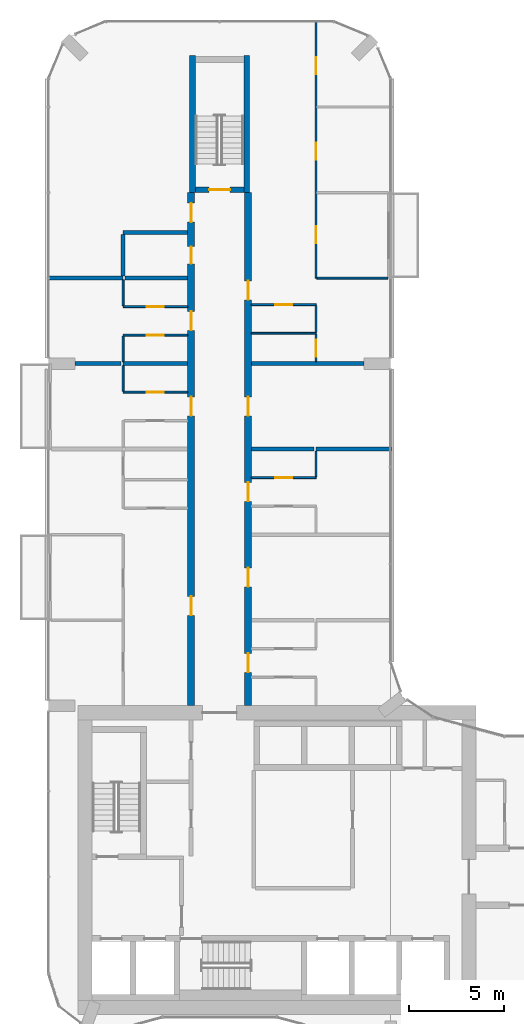
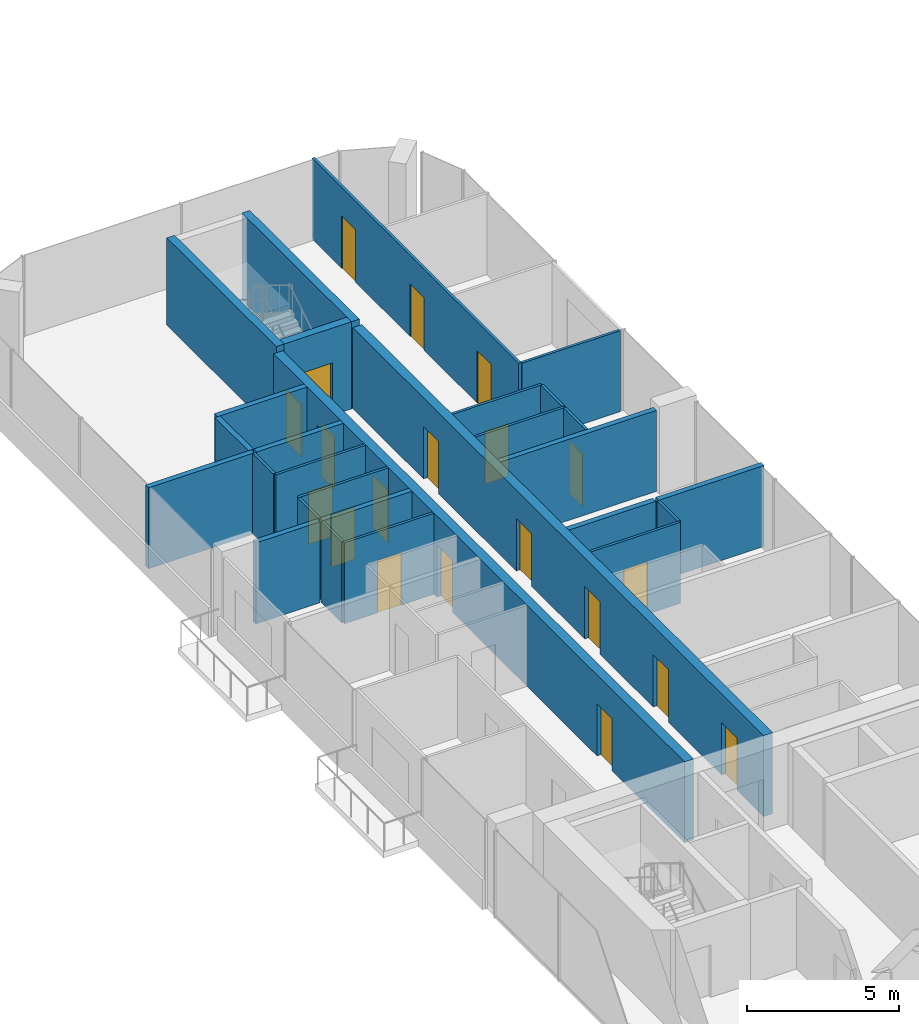
# One storey, part 17 of 24: 28 walls, 20 doors, 20 openings.
"""IFC4 building model written with IfcOpenShell, lengths in metres."""

from ifc_helpers import new_model, si_unit, direction, frame, frame_2d, origin, place, context, subcontext, project, spatial, rectangle, extrude, material, layer, layer_set, type_object, element, fill, save


model = new_model("IFC4")

# Units and contexts
model_context = context("Model", 3, precision=1e-05, world=origin(), true_north=direction((0.0, 1.0)))
body_context = subcontext(model_context, "Body", "Model", "MODEL_VIEW")
ifc_project = project(units=[si_unit("LENGTHUNIT", "METRE"), si_unit("AREAUNIT", "SQUARE_METRE"), si_unit("VOLUMEUNIT", "CUBIC_METRE"), si_unit("PLANEANGLEUNIT", "RADIAN"), si_unit("MASSUNIT", "GRAM", prefix="KILO")], contexts=[model_context])

# Site, building, storey
site_placement = place(None, origin())
site = spatial("IfcSite", under=ifc_project, at=site_placement, CompositionType="ELEMENT")
building_placement = place(site_placement, origin())
building = spatial("IfcBuilding", under=site, at=building_placement, Name="Plateau Cross Towers", CompositionType="ELEMENT")
storey_placement = place(building_placement, frame((0.0, 0.0, 47.800048828125)))
storey = spatial("IfcBuildingStorey", under=building, at=storey_placement, Name="L11", CompositionType="ELEMENT", Elevation=47.800048828125)

# Wall, openings, doors
ifc_material_1 = material(Name="Concrete C60/75", Category="concrete")
ifc_layer_1 = layer(ifc_material_1, 0.35009765625)
ifc_layer_set_1 = layer_set([ifc_layer_1], Name="Concrete C60/75")
wall_type_1 = type_object("IfcWallType", Name="Corridor wall 350", PredefinedType="SHEAR", material=ifc_layer_set_1)
wall_1_placement = place(storey_placement, frame((7.5, 18.0, 0.0), z_axis=(0.0, 0.0, 1.0), x_axis=(0.0, 1.0, 0.0)))
wall_1 = element("IfcWall", 1, at=wall_1_placement, inside=storey, type_object=wall_type_1, Name="A-cw-W1@L11", PredefinedType="SHEAR", context=body_context, shape_type="SweptSolid", body=[
    extrude(rectangle(XDim=27.0, YDim=0.35009765625, at=frame_2d((13.5, 0.0))), origin(), (0.0, 0.0, 1.0), 3.25),
])
opening_1_placement = place(wall_1_placement, frame((4.75, 0.0, 0.0)))
opening_1 = element("IfcOpeningElement", 2, at=opening_1_placement, cuts=wall_1, Name="Opening 11-09", PredefinedType="OPENING", context=body_context, shape_type="SweptSolid", body=[
    extrude(rectangle(XDim=1.0, YDim=2.10009765625, at=frame_2d((0.5, 1.050048828125))), frame((0.0, 0.18505859375, 0.0), z_axis=(0.0, -1.0, 0.0), x_axis=(1.0, 0.0, 0.0)), (0.0, 0.0, 1.0), 0.3701171875),
])
opening_2_placement = place(wall_1_placement, frame((15.25, 0.0, 0.0)))
opening_2 = element("IfcOpeningElement", 3, at=opening_2_placement, cuts=wall_1, Name="Opening 11-10", PredefinedType="OPENING", context=body_context, shape_type="SweptSolid", body=[
    extrude(rectangle(XDim=1.0, YDim=2.10009765625, at=frame_2d((0.5, 1.050048828125))), frame((0.0, 0.18505859375, 0.0), z_axis=(0.0, -1.0, 0.0), x_axis=(1.0, 0.0, 0.0)), (0.0, 0.0, 1.0), 0.3701171875),
])
opening_3_placement = place(wall_1_placement, frame((19.75, 0.0, 0.0)))
opening_3 = element("IfcOpeningElement", 4, at=opening_3_placement, cuts=wall_1, Name="Opening 11-11", PredefinedType="OPENING", context=body_context, shape_type="SweptSolid", body=[
    extrude(rectangle(XDim=1.0, YDim=2.10009765625, at=frame_2d((0.5, 1.050048828125))), frame((0.0, 0.18505859375, 0.0), z_axis=(0.0, -1.0, 0.0), x_axis=(1.0, 0.0, 0.0)), (0.0, 0.0, 1.0), 0.3701171875),
])
opening_4_placement = place(wall_1_placement, frame((23.25, 0.0, 0.0)))
opening_4 = element("IfcOpeningElement", 5, at=opening_4_placement, cuts=wall_1, Name="Opening 11-12", PredefinedType="OPENING", context=body_context, shape_type="SweptSolid", body=[
    extrude(rectangle(XDim=0.89990234375, YDim=2.10009765625, at=frame_2d((0.449951171875, 1.050048828125))), frame((0.0, 0.18505859375, 0.0), z_axis=(0.0, -1.0, 0.0), x_axis=(1.0, 0.0, 0.0)), (0.0, 0.0, 1.0), 0.3701171875),
])
opening_5_placement = place(wall_1_placement, frame((25.449951171875, 0.0, 0.0)))
opening_5 = element("IfcOpeningElement", 6, at=opening_5_placement, cuts=wall_1, Name="Opening 11-13", PredefinedType="OPENING", context=body_context, shape_type="SweptSolid", body=[
    extrude(rectangle(XDim=1.0, YDim=2.10009765625, at=frame_2d((0.5, 1.050048828125))), frame((0.0, 0.18505859375, 0.0), z_axis=(0.0, -1.0, 0.0), x_axis=(1.0, 0.0, 0.0)), (0.0, 0.0, 1.0), 0.3701171875),
])
ifc_material_2 = material(Name="Timber, fire-resisting leaf", Category="wood")
door_type_1 = type_object("IfcDoorType", Name="Flat entrance door 1000", OperationType="NOTDEFINED", PredefinedType="DOOR", material=ifc_material_2)
door_1_placement = place(opening_1_placement, origin())
door_1 = element("IfcDoor", 7, at=door_1_placement, inside=storey, type_object=door_type_1, Name="Door 11-09", OperationType="SINGLE_SWING_LEFT", OverallHeight=2.10009765625, OverallWidth=1.0, PredefinedType="DOOR", context=body_context, shape_type="SweptSolid", body=[
    extrude(rectangle(XDim=1.0, YDim=2.10009765625, at=frame_2d((0.5, 1.050048828125))), frame((0.0, 0.02490234375, 0.0), z_axis=(0.0, -1.0, 0.0), x_axis=(1.0, 0.0, 0.0)), (0.0, 0.0, 1.0), 0.050048828125),
])
fill(opening_1, door_1)
door_2_placement = place(opening_2_placement, origin())
door_2 = element("IfcDoor", 8, at=door_2_placement, inside=storey, type_object=door_type_1, Name="Door 11-10", OperationType="SINGLE_SWING_RIGHT", OverallHeight=2.10009765625, OverallWidth=1.0, PredefinedType="DOOR", context=body_context, shape_type="SweptSolid", body=[
    extrude(rectangle(XDim=1.0, YDim=2.10009765625, at=frame_2d((0.5, 1.050048828125))), frame((0.0, 0.02490234375, 0.0), z_axis=(0.0, -1.0, 0.0), x_axis=(1.0, 0.0, 0.0)), (0.0, 0.0, 1.0), 0.050048828125),
])
fill(opening_2, door_2)
door_3_placement = place(opening_3_placement, origin())
door_3 = element("IfcDoor", 9, at=door_3_placement, inside=storey, type_object=door_type_1, Name="Door 11-11", OperationType="SINGLE_SWING_RIGHT", OverallHeight=2.10009765625, OverallWidth=1.0, PredefinedType="DOOR", context=body_context, shape_type="SweptSolid", body=[
    extrude(rectangle(XDim=1.0, YDim=2.10009765625, at=frame_2d((0.5, 1.050048828125))), frame((0.0, 0.02490234375, 0.0), z_axis=(0.0, -1.0, 0.0), x_axis=(1.0, 0.0, 0.0)), (0.0, 0.0, 1.0), 0.050048828125),
])
fill(opening_3, door_3)
door_4_placement = place(opening_5_placement, origin())
door_4 = element("IfcDoor", 10, at=door_4_placement, inside=storey, type_object=door_type_1, Name="Door 11-13", OperationType="SINGLE_SWING_RIGHT", OverallHeight=2.10009765625, OverallWidth=1.0, PredefinedType="DOOR", context=body_context, shape_type="SweptSolid", body=[
    extrude(rectangle(XDim=1.0, YDim=2.10009765625, at=frame_2d((0.5, 1.050048828125))), frame((0.0, 0.02490234375, 0.0), z_axis=(0.0, -1.0, 0.0), x_axis=(1.0, 0.0, 0.0)), (0.0, 0.0, 1.0), 0.050048828125),
])
fill(opening_5, door_4)
door_type_2 = type_object("IfcDoorType", Name="Flat floor service door 900", OperationType="NOTDEFINED", PredefinedType="DOOR", material=ifc_material_2)
door_5_placement = place(opening_4_placement, origin())
door_5 = element("IfcDoor", 11, at=door_5_placement, inside=storey, type_object=door_type_2, Name="Door 11-12", OperationType="SINGLE_SWING_RIGHT", OverallHeight=2.10009765625, OverallWidth=0.89990234375, PredefinedType="DOOR", context=body_context, shape_type="SweptSolid", body=[
    extrude(rectangle(XDim=0.89990234375, YDim=2.10009765625, at=frame_2d((0.449951171875, 1.050048828125))), frame((0.0, 0.02490234375, 0.0), z_axis=(0.0, -1.0, 0.0), x_axis=(1.0, 0.0, 0.0)), (0.0, 0.0, 1.0), 0.050048828125),
])
fill(opening_4, door_5)

wall_2_placement = place(storey_placement, frame((10.5, 18.0, 0.0), z_axis=(0.0, 0.0, 1.0), x_axis=(0.0, 1.0, 0.0)))
wall_2 = element("IfcWall", 12, at=wall_2_placement, inside=storey, type_object=wall_type_1, Name="A-cw-W2@L11", PredefinedType="SHEAR", context=body_context, shape_type="SweptSolid", body=[
    extrude(rectangle(XDim=27.0, YDim=0.35009765625, at=frame_2d((13.5, 0.0))), origin(), (0.0, 0.0, 1.0), 3.25),
])
opening_6_placement = place(wall_2_placement, frame((1.75, 0.0, 0.0)))
opening_6 = element("IfcOpeningElement", 13, at=opening_6_placement, cuts=wall_2, Name="Opening 11-14", PredefinedType="OPENING", context=body_context, shape_type="SweptSolid", body=[
    extrude(rectangle(XDim=1.0, YDim=2.10009765625, at=frame_2d((0.5, 1.050048828125))), frame((0.0, 0.18505859375, 0.0), z_axis=(0.0, -1.0, 0.0), x_axis=(1.0, 0.0, 0.0)), (0.0, 0.0, 1.0), 0.3701171875),
])
opening_7_placement = place(wall_2_placement, frame((6.25, 0.0, 0.0)))
opening_7 = element("IfcOpeningElement", 14, at=opening_7_placement, cuts=wall_2, Name="Opening 11-15", PredefinedType="OPENING", context=body_context, shape_type="SweptSolid", body=[
    extrude(rectangle(XDim=1.0, YDim=2.10009765625, at=frame_2d((0.5, 1.050048828125))), frame((0.0, 0.18505859375, 0.0), z_axis=(0.0, -1.0, 0.0), x_axis=(1.0, 0.0, 0.0)), (0.0, 0.0, 1.0), 0.3701171875),
])
opening_8_placement = place(wall_2_placement, frame((10.75, 0.0, 0.0)))
opening_8 = element("IfcOpeningElement", 15, at=opening_8_placement, cuts=wall_2, Name="Opening 11-16", PredefinedType="OPENING", context=body_context, shape_type="SweptSolid", body=[
    extrude(rectangle(XDim=1.0, YDim=2.10009765625, at=frame_2d((0.5, 1.050048828125))), frame((0.0, 0.18505859375, 0.0), z_axis=(0.0, -1.0, 0.0), x_axis=(1.0, 0.0, 0.0)), (0.0, 0.0, 1.0), 0.3701171875),
])
opening_9_placement = place(wall_2_placement, frame((15.25, 0.0, 0.0)))
opening_9 = element("IfcOpeningElement", 16, at=opening_9_placement, cuts=wall_2, Name="Opening 11-17", PredefinedType="OPENING", context=body_context, shape_type="SweptSolid", body=[
    extrude(rectangle(XDim=1.0, YDim=2.10009765625, at=frame_2d((0.5, 1.050048828125))), frame((0.0, 0.18505859375, 0.0), z_axis=(0.0, -1.0, 0.0), x_axis=(1.0, 0.0, 0.0)), (0.0, 0.0, 1.0), 0.3701171875),
])
opening_10_placement = place(wall_2_placement, frame((21.35009765625, 0.0, 0.0)))
opening_10 = element("IfcOpeningElement", 17, at=opening_10_placement, cuts=wall_2, Name="Opening 11-18", PredefinedType="OPENING", context=body_context, shape_type="SweptSolid", body=[
    extrude(rectangle(XDim=1.0, YDim=2.10009765625, at=frame_2d((0.5, 1.050048828125))), frame((0.0, 0.18505859375, 0.0), z_axis=(0.0, -1.0, 0.0), x_axis=(1.0, 0.0, 0.0)), (0.0, 0.0, 1.0), 0.3701171875),
])
door_6_placement = place(opening_6_placement, origin())
door_6 = element("IfcDoor", 18, at=door_6_placement, inside=storey, type_object=door_type_1, Name="Door 11-14", OperationType="SINGLE_SWING_LEFT", OverallHeight=2.10009765625, OverallWidth=1.0, PredefinedType="DOOR", context=body_context, shape_type="SweptSolid", body=[
    extrude(rectangle(XDim=1.0, YDim=2.10009765625, at=frame_2d((0.5, 1.050048828125))), frame((0.0, 0.02490234375, 0.0), z_axis=(0.0, -1.0, 0.0), x_axis=(1.0, 0.0, 0.0)), (0.0, 0.0, 1.0), 0.050048828125),
])
fill(opening_6, door_6)
door_7_placement = place(opening_7_placement, origin())
door_7 = element("IfcDoor", 19, at=door_7_placement, inside=storey, type_object=door_type_1, Name="Door 11-15", OperationType="SINGLE_SWING_LEFT", OverallHeight=2.10009765625, OverallWidth=1.0, PredefinedType="DOOR", context=body_context, shape_type="SweptSolid", body=[
    extrude(rectangle(XDim=1.0, YDim=2.10009765625, at=frame_2d((0.5, 1.050048828125))), frame((0.0, 0.02490234375, 0.0), z_axis=(0.0, -1.0, 0.0), x_axis=(1.0, 0.0, 0.0)), (0.0, 0.0, 1.0), 0.050048828125),
])
fill(opening_7, door_7)
door_8_placement = place(opening_8_placement, origin())
door_8 = element("IfcDoor", 20, at=door_8_placement, inside=storey, type_object=door_type_1, Name="Door 11-16", OperationType="SINGLE_SWING_LEFT", OverallHeight=2.10009765625, OverallWidth=1.0, PredefinedType="DOOR", context=body_context, shape_type="SweptSolid", body=[
    extrude(rectangle(XDim=1.0, YDim=2.10009765625, at=frame_2d((0.5, 1.050048828125))), frame((0.0, 0.02490234375, 0.0), z_axis=(0.0, -1.0, 0.0), x_axis=(1.0, 0.0, 0.0)), (0.0, 0.0, 1.0), 0.050048828125),
])
fill(opening_8, door_8)
door_9_placement = place(opening_9_placement, origin())
door_9 = element("IfcDoor", 21, at=door_9_placement, inside=storey, type_object=door_type_1, Name="Door 11-17", OperationType="SINGLE_SWING_RIGHT", OverallHeight=2.10009765625, OverallWidth=1.0, PredefinedType="DOOR", context=body_context, shape_type="SweptSolid", body=[
    extrude(rectangle(XDim=1.0, YDim=2.10009765625, at=frame_2d((0.5, 1.050048828125))), frame((0.0, 0.02490234375, 0.0), z_axis=(0.0, -1.0, 0.0), x_axis=(1.0, 0.0, 0.0)), (0.0, 0.0, 1.0), 0.050048828125),
])
fill(opening_9, door_9)
door_10_placement = place(opening_10_placement, origin())
door_10 = element("IfcDoor", 22, at=door_10_placement, inside=storey, type_object=door_type_1, Name="Door 11-18", OperationType="SINGLE_SWING_RIGHT", OverallHeight=2.10009765625, OverallWidth=1.0, PredefinedType="DOOR", context=body_context, shape_type="SweptSolid", body=[
    extrude(rectangle(XDim=1.0, YDim=2.10009765625, at=frame_2d((0.5, 1.050048828125))), frame((0.0, 0.02490234375, 0.0), z_axis=(0.0, -1.0, 0.0), x_axis=(1.0, 0.0, 0.0)), (0.0, 0.0, 1.0), 0.050048828125),
])
fill(opening_10, door_10)

# Wall, opening, door
ifc_material_3 = material(Name="Gypsum board on steel studs", Category="steel")
ifc_layer_2 = layer(ifc_material_3, 0.10009765625)
ifc_layer_set_2 = layer_set([ifc_layer_2], Name="Gypsum board on steel studs")
wall_type_2 = type_object("IfcWallType", Name="Flat partition 100", PredefinedType="PARTITIONING", material=ifc_layer_set_2)
wall_3_placement = place(storey_placement, frame((10.675048828125, 30.0, 0.0), z_axis=(0.0, 0.0, 1.0), x_axis=(1.0, 0.0, 0.0)))
wall_3 = element("IfcWall", 23, at=wall_3_placement, inside=storey, type_object=wall_type_2, Name="Partition wall", PredefinedType="PARTITIONING", context=body_context, shape_type="SweptSolid", body=[
    extrude(rectangle(XDim=3.39990234375, YDim=0.10009765625, at=frame_2d((1.699951171875, 0.0))), origin(), (0.0, 0.0, 1.0), 3.25),
])
opening_11_placement = place(wall_3_placement, frame((1.25, 0.0, 0.0)))
opening_11 = element("IfcOpeningElement", 24, at=opening_11_placement, cuts=wall_3, Name="Opening 11-43", PredefinedType="OPENING", context=body_context, shape_type="SweptSolid", body=[
    extrude(rectangle(XDim=0.89990234375, YDim=2.10009765625, at=frame_2d((0.449951171875, 1.050048828125))), frame((0.0, 0.06005859375, 0.0), z_axis=(0.0, -1.0, 0.0), x_axis=(1.0, 0.0, 0.0)), (0.0, 0.0, 1.0), 0.1201171875),
])
ifc_material_4 = material(Name="Timber leaf", Category="wood")
door_type_3 = type_object("IfcDoorType", Name="Flat room door 900", OperationType="NOTDEFINED", PredefinedType="DOOR", material=ifc_material_4)
door_11_placement = place(opening_11_placement, origin())
door_11 = element("IfcDoor", 25, at=door_11_placement, inside=storey, type_object=door_type_3, Name="Door 11-43", OperationType="SINGLE_SWING_RIGHT", OverallHeight=2.10009765625, OverallWidth=0.89990234375, PredefinedType="DOOR", context=body_context, shape_type="SweptSolid", body=[
    extrude(rectangle(XDim=0.89990234375, YDim=2.10009765625, at=frame_2d((0.449951171875, 1.050048828125))), frame((0.0, 0.02490234375, 0.0), z_axis=(0.0, -1.0, 0.0), x_axis=(1.0, 0.0, 0.0)), (0.0, 0.0, 1.0), 0.050048828125),
])
fill(opening_11, door_11)

wall_4_placement = place(storey_placement, frame((3.925048828125, 34.5, 0.0), z_axis=(0.0, 0.0, 1.0), x_axis=(1.0, 0.0, 0.0)))
wall_4 = element("IfcWall", 26, at=wall_4_placement, inside=storey, type_object=wall_type_2, Name="Partition wall", PredefinedType="PARTITIONING", context=body_context, shape_type="SweptSolid", body=[
    extrude(rectangle(XDim=3.39990234375, YDim=0.10009765625, at=frame_2d((1.699951171875, 0.0))), origin(), (0.0, 0.0, 1.0), 3.25),
])
opening_12_placement = place(wall_4_placement, frame((1.25, 0.0, 0.0)))
opening_12 = element("IfcOpeningElement", 27, at=opening_12_placement, cuts=wall_4, Name="Opening 11-37", PredefinedType="OPENING", context=body_context, shape_type="SweptSolid", body=[
    extrude(rectangle(XDim=0.89990234375, YDim=2.10009765625, at=frame_2d((0.449951171875, 1.050048828125))), frame((0.0, 0.06005859375, 0.0), z_axis=(0.0, -1.0, 0.0), x_axis=(1.0, 0.0, 0.0)), (0.0, 0.0, 1.0), 0.1201171875),
])
door_12_placement = place(opening_12_placement, origin())
door_12 = element("IfcDoor", 28, at=door_12_placement, inside=storey, type_object=door_type_3, Name="Door 11-37", OperationType="SINGLE_SWING_LEFT", OverallHeight=2.10009765625, OverallWidth=0.89990234375, PredefinedType="DOOR", context=body_context, shape_type="SweptSolid", body=[
    extrude(rectangle(XDim=0.89990234375, YDim=2.10009765625, at=frame_2d((0.449951171875, 1.050048828125))), frame((0.0, 0.02490234375, 0.0), z_axis=(0.0, -1.0, 0.0), x_axis=(1.0, 0.0, 0.0)), (0.0, 0.0, 1.0), 0.050048828125),
])
fill(opening_12, door_12)

wall_5_placement = place(storey_placement, frame((7.324951171875, 37.5, 0.0), z_axis=(0.0, 0.0, 1.0), x_axis=(-1.0, 0.0, 0.0)))
wall_5 = element("IfcWall", 29, at=wall_5_placement, inside=storey, type_object=wall_type_2, Name="Partition wall", PredefinedType="PARTITIONING", context=body_context, shape_type="SweptSolid", body=[
    extrude(rectangle(XDim=3.39990234375, YDim=0.10009765625, at=frame_2d((1.699951171875, 0.0))), origin(), (0.0, 0.0, 1.0), 3.25),
])
opening_13_placement = place(wall_5_placement, frame((1.25, 0.0, 0.0)))
opening_13 = element("IfcOpeningElement", 30, at=opening_13_placement, cuts=wall_5, Name="Opening 11-38", PredefinedType="OPENING", context=body_context, shape_type="SweptSolid", body=[
    extrude(rectangle(XDim=0.89990234375, YDim=2.10009765625, at=frame_2d((0.449951171875, 1.050048828125))), frame((0.0, 0.06005859375, 0.0), z_axis=(0.0, -1.0, 0.0), x_axis=(1.0, 0.0, 0.0)), (0.0, 0.0, 1.0), 0.1201171875),
])
door_13_placement = place(opening_13_placement, origin())
door_13 = element("IfcDoor", 31, at=door_13_placement, inside=storey, type_object=door_type_3, Name="Door 11-38", OperationType="SINGLE_SWING_LEFT", OverallHeight=2.10009765625, OverallWidth=0.89990234375, PredefinedType="DOOR", context=body_context, shape_type="SweptSolid", body=[
    extrude(rectangle(XDim=0.89990234375, YDim=2.10009765625, at=frame_2d((0.449951171875, 1.050048828125))), frame((0.0, 0.02490234375, 0.0), z_axis=(0.0, -1.0, 0.0), x_axis=(1.0, 0.0, 0.0)), (0.0, 0.0, 1.0), 0.050048828125),
])
fill(opening_13, door_13)

# Wall
wall_6_placement = place(storey_placement, frame((14.074951171875, 37.60009765625, 0.0), z_axis=(0.0, 0.0, 1.0), x_axis=(-1.0, 0.0, 0.0)))
element("IfcWall", 32, at=wall_6_placement, inside=storey, type_object=wall_type_2, Name="Partition wall", PredefinedType="PARTITIONING", context=body_context, shape_type="SweptSolid", body=[
    extrude(rectangle(XDim=3.39990234375, YDim=0.10009765625, at=frame_2d((1.699951171875, 0.0))), origin(), (0.0, 0.0, 1.0), 3.25),
])

# Wall, opening, door
wall_7_placement = place(storey_placement, frame((3.925048828125, 39.0, 0.0), z_axis=(0.0, 0.0, 1.0), x_axis=(1.0, 0.0, 0.0)))
wall_7 = element("IfcWall", 33, at=wall_7_placement, inside=storey, type_object=wall_type_2, Name="Partition wall", PredefinedType="PARTITIONING", context=body_context, shape_type="SweptSolid", body=[
    extrude(rectangle(XDim=3.39990234375, YDim=0.10009765625, at=frame_2d((1.699951171875, 0.0))), origin(), (0.0, 0.0, 1.0), 3.25),
])
opening_14_placement = place(wall_7_placement, frame((1.25, 0.0, 0.0)))
opening_14 = element("IfcOpeningElement", 34, at=opening_14_placement, cuts=wall_7, Name="Opening 11-39", PredefinedType="OPENING", context=body_context, shape_type="SweptSolid", body=[
    extrude(rectangle(XDim=0.89990234375, YDim=2.10009765625, at=frame_2d((0.449951171875, 1.050048828125))), frame((0.0, 0.06005859375, 0.0), z_axis=(0.0, -1.0, 0.0), x_axis=(1.0, 0.0, 0.0)), (0.0, 0.0, 1.0), 0.1201171875),
])
door_14_placement = place(opening_14_placement, origin())
door_14 = element("IfcDoor", 35, at=door_14_placement, inside=storey, type_object=door_type_3, Name="Door 11-39", OperationType="SINGLE_SWING_LEFT", OverallHeight=2.10009765625, OverallWidth=0.89990234375, PredefinedType="DOOR", context=body_context, shape_type="SweptSolid", body=[
    extrude(rectangle(XDim=0.89990234375, YDim=2.10009765625, at=frame_2d((0.449951171875, 1.050048828125))), frame((0.0, 0.02490234375, 0.0), z_axis=(0.0, -1.0, 0.0), x_axis=(1.0, 0.0, 0.0)), (0.0, 0.0, 1.0), 0.050048828125),
])
fill(opening_14, door_14)

wall_8_placement = place(storey_placement, frame((14.074951171875, 39.10009765625, 0.0), z_axis=(0.0, 0.0, 1.0), x_axis=(-1.0, 0.0, 0.0)))
wall_8 = element("IfcWall", 36, at=wall_8_placement, inside=storey, type_object=wall_type_2, Name="Partition wall", PredefinedType="PARTITIONING", context=body_context, shape_type="SweptSolid", body=[
    extrude(rectangle(XDim=3.39990234375, YDim=0.10009765625, at=frame_2d((1.699951171875, 0.0))), origin(), (0.0, 0.0, 1.0), 3.25),
])
opening_15_placement = place(wall_8_placement, frame((1.25, 0.0, 0.0)))
opening_15 = element("IfcOpeningElement", 37, at=opening_15_placement, cuts=wall_8, Name="Opening 11-45", PredefinedType="OPENING", context=body_context, shape_type="SweptSolid", body=[
    extrude(rectangle(XDim=0.89990234375, YDim=2.10009765625, at=frame_2d((0.449951171875, 1.050048828125))), frame((0.0, 0.06005859375, 0.0), z_axis=(0.0, -1.0, 0.0), x_axis=(1.0, 0.0, 0.0)), (0.0, 0.0, 1.0), 0.1201171875),
])
door_15_placement = place(opening_15_placement, origin())
door_15 = element("IfcDoor", 38, at=door_15_placement, inside=storey, type_object=door_type_3, Name="Door 11-45", OperationType="SINGLE_SWING_RIGHT", OverallHeight=2.10009765625, OverallWidth=0.89990234375, PredefinedType="DOOR", context=body_context, shape_type="SweptSolid", body=[
    extrude(rectangle(XDim=0.89990234375, YDim=2.10009765625, at=frame_2d((0.449951171875, 1.050048828125))), frame((0.0, 0.02490234375, 0.0), z_axis=(0.0, -1.0, 0.0), x_axis=(1.0, 0.0, 0.0)), (0.0, 0.0, 1.0), 0.050048828125),
])
fill(opening_15, door_15)

# Walls
wall_9_placement = place(storey_placement, frame((14.125, 40.5, 0.0), z_axis=(0.0, 0.0, 1.0), x_axis=(1.0, 0.0, 0.0)))
element("IfcWall", 39, at=wall_9_placement, inside=storey, type_object=wall_type_2, Name="Partition wall", PredefinedType="PARTITIONING", context=body_context, shape_type="SweptSolid", body=[
    extrude(rectangle(XDim=3.72509765625, YDim=0.10009765625, at=frame_2d((1.862548828125, 0.0))), origin(), (0.0, 0.0, 1.0), 3.25),
])
for number, where, z_axis, x_axis, name in (
    (40, (3.925048828125, 35.89990234375, 0.0), (0.0, 0.0, 1.0), (0.0, -1.0, 0.0), "Partition wall"),
    (41, (3.925048828125, 37.449951171875, 0.0), (0.0, 0.0, 1.0), (0.0, -1.0, 0.0), "Partition wall"),
    (42, (3.925048828125, 40.39990234375, 0.0), (0.0, 0.0, 1.0), (0.0, -1.0, 0.0), "Partition wall"),
):
    element("IfcWall", number, at=place(storey_placement, frame(where, z_axis=z_axis, x_axis=x_axis)), inside=storey, type_object=wall_type_2, Name=name, PredefinedType="PARTITIONING", context=body_context, shape_type="SweptSolid", body=[
        extrude(rectangle(XDim=1.349853515625, YDim=0.10009765625, at=frame_2d((0.6748046875, 0.0))), origin(), (0.0, 0.0, 1.0), 3.25),
    ])

# Wall, openings, doors
wall_10_placement = place(storey_placement, frame((14.074951171875, 54.080078125, 0.0), z_axis=(0.0, 0.0, 1.0), x_axis=(0.0, -1.0, 0.0)))
wall_10 = element("IfcWall", 43, at=wall_10_placement, inside=storey, type_object=wall_type_2, Name="Partition wall", PredefinedType="PARTITIONING", context=body_context, shape_type="SweptSolid", body=[
    extrude(rectangle(XDim=13.580078125, YDim=0.10009765625, at=frame_2d((6.7900390625, 0.0))), origin(), (0.0, 0.0, 1.0), 3.25),
])
opening_16_placement = place(wall_10_placement, frame((10.85009765625, 0.0, 0.0)))
opening_16 = element("IfcOpeningElement", 44, at=opening_16_placement, cuts=wall_10, Name="Opening 11-46", PredefinedType="OPENING", context=body_context, shape_type="SweptSolid", body=[
    extrude(rectangle(XDim=0.89990234375, YDim=2.10009765625, at=frame_2d((0.449951171875, 1.050048828125))), frame((0.0, 0.06005859375, 0.0), z_axis=(0.0, -1.0, 0.0), x_axis=(1.0, 0.0, 0.0)), (0.0, 0.0, 1.0), 0.1201171875),
])
opening_17_placement = place(wall_10_placement, frame((6.449951171875, 0.0, 0.0)))
opening_17 = element("IfcOpeningElement", 45, at=opening_17_placement, cuts=wall_10, Name="Opening 11-47", PredefinedType="OPENING", context=body_context, shape_type="SweptSolid", body=[
    extrude(rectangle(XDim=0.89990234375, YDim=2.10009765625, at=frame_2d((0.449951171875, 1.050048828125))), frame((0.0, 0.06005859375, 0.0), z_axis=(0.0, -1.0, 0.0), x_axis=(1.0, 0.0, 0.0)), (0.0, 0.0, 1.0), 0.1201171875),
])
opening_18_placement = place(wall_10_placement, frame((1.949951171875, 0.0, 0.0)))
opening_18 = element("IfcOpeningElement", 46, at=opening_18_placement, cuts=wall_10, Name="Opening 11-48", PredefinedType="OPENING", context=body_context, shape_type="SweptSolid", body=[
    extrude(rectangle(XDim=0.89990234375, YDim=2.10009765625, at=frame_2d((0.449951171875, 1.050048828125))), frame((0.0, 0.06005859375, 0.0), z_axis=(0.0, -1.0, 0.0), x_axis=(1.0, 0.0, 0.0)), (0.0, 0.0, 1.0), 0.1201171875),
])
door_16_placement = place(opening_16_placement, origin())
door_16 = element("IfcDoor", 47, at=door_16_placement, inside=storey, type_object=door_type_3, Name="Door 11-46", OperationType="SINGLE_SWING_RIGHT", OverallHeight=2.10009765625, OverallWidth=0.89990234375, PredefinedType="DOOR", context=body_context, shape_type="SweptSolid", body=[
    extrude(rectangle(XDim=0.89990234375, YDim=2.10009765625, at=frame_2d((0.449951171875, 1.050048828125))), frame((0.0, 0.02490234375, 0.0), z_axis=(0.0, -1.0, 0.0), x_axis=(1.0, 0.0, 0.0)), (0.0, 0.0, 1.0), 0.050048828125),
])
fill(opening_16, door_16)
door_17_placement = place(opening_17_placement, origin())
door_17 = element("IfcDoor", 48, at=door_17_placement, inside=storey, type_object=door_type_3, Name="Door 11-47", OperationType="SINGLE_SWING_RIGHT", OverallHeight=2.10009765625, OverallWidth=0.89990234375, PredefinedType="DOOR", context=body_context, shape_type="SweptSolid", body=[
    extrude(rectangle(XDim=0.89990234375, YDim=2.10009765625, at=frame_2d((0.449951171875, 1.050048828125))), frame((0.0, 0.02490234375, 0.0), z_axis=(0.0, -1.0, 0.0), x_axis=(1.0, 0.0, 0.0)), (0.0, 0.0, 1.0), 0.050048828125),
])
fill(opening_17, door_17)
door_18_placement = place(opening_18_placement, origin())
door_18 = element("IfcDoor", 49, at=door_18_placement, inside=storey, type_object=door_type_3, Name="Door 11-48", OperationType="SINGLE_SWING_LEFT", OverallHeight=2.10009765625, OverallWidth=0.89990234375, PredefinedType="DOOR", context=body_context, shape_type="SweptSolid", body=[
    extrude(rectangle(XDim=0.89990234375, YDim=2.10009765625, at=frame_2d((0.449951171875, 1.050048828125))), frame((0.0, 0.02490234375, 0.0), z_axis=(0.0, -1.0, 0.0), x_axis=(1.0, 0.0, 0.0)), (0.0, 0.0, 1.0), 0.050048828125),
])
fill(opening_18, door_18)

# Wall
wall_11_placement = place(storey_placement, frame((14.074951171875, 30.050048828125, 0.0), z_axis=(0.0, 0.0, 1.0), x_axis=(0.0, 1.0, 0.0)))
element("IfcWall", 50, at=wall_11_placement, inside=storey, type_object=wall_type_2, Name="Partition wall", PredefinedType="PARTITIONING", context=body_context, shape_type="SweptSolid", body=[
    extrude(rectangle(XDim=1.349853515625, YDim=0.10009765625, at=frame_2d((0.6748046875, 0.0))), origin(), (0.0, 0.0, 1.0), 3.25),
])

# Wall, opening, door
wall_12_placement = place(storey_placement, frame((14.074951171875, 36.10009765625, 0.0), z_axis=(0.0, 0.0, 1.0), x_axis=(0.0, 1.0, 0.0)))
wall_12 = element("IfcWall", 51, at=wall_12_placement, inside=storey, type_object=wall_type_2, Name="Partition wall", PredefinedType="PARTITIONING", context=body_context, shape_type="SweptSolid", body=[
    extrude(rectangle(XDim=1.449951171875, YDim=0.10009765625, at=frame_2d((0.72509765625, 0.0))), origin(), (0.0, 0.0, 1.0), 3.25),
])
opening_19_placement = place(wall_12_placement, frame((0.25, 0.0, 0.0)))
opening_19 = element("IfcOpeningElement", 52, at=opening_19_placement, cuts=wall_12, Name="Opening 11-44", PredefinedType="OPENING", context=body_context, shape_type="SweptSolid", body=[
    extrude(rectangle(XDim=0.89990234375, YDim=2.10009765625, at=frame_2d((0.449951171875, 1.050048828125))), frame((0.0, 0.06005859375, 0.0), z_axis=(0.0, -1.0, 0.0), x_axis=(1.0, 0.0, 0.0)), (0.0, 0.0, 1.0), 0.1201171875),
])
door_19_placement = place(opening_19_placement, origin())
door_19 = element("IfcDoor", 53, at=door_19_placement, inside=storey, type_object=door_type_3, Name="Door 11-44", OperationType="SINGLE_SWING_LEFT", OverallHeight=2.10009765625, OverallWidth=0.89990234375, PredefinedType="DOOR", context=body_context, shape_type="SweptSolid", body=[
    extrude(rectangle(XDim=0.89990234375, YDim=2.10009765625, at=frame_2d((0.449951171875, 1.050048828125))), frame((0.0, 0.02490234375, 0.0), z_axis=(0.0, -1.0, 0.0), x_axis=(1.0, 0.0, 0.0)), (0.0, 0.0, 1.0), 0.050048828125),
])
fill(opening_19, door_19)

# Walls
wall_13_placement = place(storey_placement, frame((14.074951171875, 37.64990234375, 0.0), z_axis=(0.0, 0.0, 1.0), x_axis=(0.0, 1.0, 0.0)))
element("IfcWall", 54, at=wall_13_placement, inside=storey, type_object=wall_type_2, Name="Partition wall", PredefinedType="PARTITIONING", context=body_context, shape_type="SweptSolid", body=[
    extrude(rectangle(XDim=1.400146484375, YDim=0.10009765625, at=frame_2d((0.7001953125, 0.0))), origin(), (0.0, 0.0, 1.0), 3.25),
])
ifc_material_5 = material(Name="Gypsum board on steel studs, two layers each side", Category="steel")
ifc_layer_3 = layer(ifc_material_5, 0.199951171875)
ifc_layer_set_3 = layer_set([ifc_layer_3], Name="Gypsum board on steel studs, two layers each side")
wall_type_3 = type_object("IfcWallType", Name="Flat party wall 200", PredefinedType="PARTITIONING", material=ifc_layer_set_3)
wall_14_placement = place(storey_placement, frame((13.97509765625, 31.5, 0.0), z_axis=(0.0, 0.0, 1.0), x_axis=(-1.0, 0.0, 0.0)))
element("IfcWall", 55, at=wall_14_placement, inside=storey, type_object=wall_type_3, Name="Party wall", PredefinedType="PARTITIONING", context=body_context, shape_type="SweptSolid", body=[
    extrude(rectangle(XDim=3.300048828125, YDim=0.199951171875, at=frame_2d((1.64990234375, 0.0))), origin(), (0.0, 0.0, 1.0), 3.25),
])
wall_15_placement = place(storey_placement, frame((14.074951171875, 31.5, 0.0), z_axis=(0.0, 0.0, 1.0), x_axis=(1.0, 0.0, 0.0)))
element("IfcWall", 56, at=wall_15_placement, inside=storey, type_object=wall_type_3, Name="Party wall", PredefinedType="PARTITIONING", context=body_context, shape_type="SweptSolid", body=[
    extrude(rectangle(XDim=4.005126953125, YDim=0.199951171875, at=frame_2d((2.00244140625, 0.0))), origin(), (0.0, 0.0, 1.0), 3.25),
])
wall_16_placement = place(storey_placement, frame((7.324951171875, 36.0, 0.0), z_axis=(0.0, 0.0, 1.0), x_axis=(-1.0, 0.0, 0.0)))
element("IfcWall", 57, at=wall_16_placement, inside=storey, type_object=wall_type_3, Name="Party wall", PredefinedType="PARTITIONING", context=body_context, shape_type="SweptSolid", body=[
    extrude(rectangle(XDim=3.39990234375, YDim=0.199951171875, at=frame_2d((1.699951171875, 0.0))), origin(), (0.0, 0.0, 1.0), 3.25),
])
wall_17_placement = place(storey_placement, frame((16.60009765625, 36.0, 0.0), z_axis=(0.0, 0.0, 1.0), x_axis=(-1.0, 0.0, 0.0)))
element("IfcWall", 58, at=wall_17_placement, inside=storey, type_object=wall_type_3, Name="Party wall", PredefinedType="PARTITIONING", context=body_context, shape_type="SweptSolid", body=[
    extrude(rectangle(XDim=5.925048828125, YDim=0.199951171875, at=frame_2d((2.96240234375, 0.0))), origin(), (0.0, 0.0, 1.0), 3.25),
])
wall_18_placement = place(storey_placement, frame((1.39990234375, 36.0, 0.0), z_axis=(0.0, 0.0, 1.0), x_axis=(1.0, 0.0, 0.0)))
element("IfcWall", 59, at=wall_18_placement, inside=storey, type_object=wall_type_3, Name="Party wall", PredefinedType="PARTITIONING", context=body_context, shape_type="SweptSolid", body=[
    extrude(rectangle(XDim=2.425048828125, YDim=0.199951171875, at=frame_2d((1.21240234375, 0.0))), origin(), (0.0, 0.0, 1.0), 3.25),
])
wall_19_placement = place(storey_placement, frame((7.324951171875, 40.5, 0.0), z_axis=(0.0, 0.0, 1.0), x_axis=(-1.0, 0.0, 0.0)))
element("IfcWall", 60, at=wall_19_placement, inside=storey, type_object=wall_type_3, Name="Party wall", PredefinedType="PARTITIONING", context=body_context, shape_type="SweptSolid", body=[
    extrude(rectangle(XDim=3.300048828125, YDim=0.199951171875, at=frame_2d((1.64990234375, 0.0))), origin(), (0.0, 0.0, 1.0), 3.25),
])
wall_20_placement = place(storey_placement, frame((-0.080078125, 40.5, 0.0), z_axis=(0.0, 0.0, 1.0), x_axis=(1.0, 0.0, 0.0)))
element("IfcWall", 61, at=wall_20_placement, inside=storey, type_object=wall_type_3, Name="Party wall", PredefinedType="PARTITIONING", context=body_context, shape_type="SweptSolid", body=[
    extrude(rectangle(XDim=4.005126953125, YDim=0.199951171875, at=frame_2d((2.00244140625, 0.0))), origin(), (0.0, 0.0, 1.0), 3.25),
])
wall_21_placement = place(storey_placement, frame((7.324951171875, 42.89990234375, 0.0), z_axis=(0.0, 0.0, 1.0), x_axis=(-1.0, 0.0, 0.0)))
element("IfcWall", 62, at=wall_21_placement, inside=storey, type_object=wall_type_3, Name="Party wall", PredefinedType="PARTITIONING", context=body_context, shape_type="SweptSolid", body=[
    extrude(rectangle(XDim=3.39990234375, YDim=0.199951171875, at=frame_2d((1.699951171875, 0.0))), origin(), (0.0, 0.0, 1.0), 3.25),
])
wall_22_placement = place(storey_placement, frame((3.925048828125, 42.800048828125, 0.0), z_axis=(0.0, 0.0, 1.0), x_axis=(0.0, -1.0, 0.0)))
element("IfcWall", 63, at=wall_22_placement, inside=storey, type_object=wall_type_3, Name="Party wall", PredefinedType="PARTITIONING", context=body_context, shape_type="SweptSolid", body=[
    extrude(rectangle(XDim=2.199951171875, YDim=0.199951171875, at=frame_2d((1.10009765625, 0.0))), origin(), (0.0, 0.0, 1.0), 3.25),
])

# Wall, opening, door
ifc_layer_4 = layer(ifc_material_1, 0.300048828125)
ifc_layer_set_4 = layer_set([ifc_layer_4], Name="Concrete C60/75")
wall_type_4 = type_object("IfcWallType", Name="Stair tower wall 300", PredefinedType="SHEAR", material=ifc_layer_set_4)
wall_23_placement = place(storey_placement, frame((7.72509765625, 45.14990234375, 0.0), z_axis=(0.0, 0.0, 1.0), x_axis=(1.0, 0.0, 0.0)))
wall_23 = element("IfcWall", 64, at=wall_23_placement, inside=storey, type_object=wall_type_4, Name="A-end-N-S@L11", PredefinedType="SHEAR", context=body_context, shape_type="SweptSolid", body=[
    extrude(rectangle(XDim=2.5498046875, YDim=0.300048828125, at=frame_2d((1.27490234375, 0.0))), origin(), (0.0, 0.0, 1.0), 3.5),
])
opening_20_placement = place(wall_23_placement, frame((0.72509765625, 0.0, 0.0)))
opening_20 = element("IfcOpeningElement", 65, at=opening_20_placement, cuts=wall_23, Name="Opening SD", PredefinedType="OPENING", context=body_context, shape_type="SweptSolid", body=[
    extrude(rectangle(XDim=1.10009765625, YDim=2.10009765625, at=frame_2d((0.550048828125, 1.050048828125))), frame((0.0, 0.159912109375, 0.0), z_axis=(0.0, -1.0, 0.0), x_axis=(1.0, 0.0, 0.0)), (0.0, 0.0, 1.0), 0.320068359375),
])
ifc_material_6 = material(Name="Steel, fire-resisting leaf", Category="steel")
door_type_4 = type_object("IfcDoorType", Name="Stair door 1100", OperationType="NOTDEFINED", PredefinedType="DOOR", material=ifc_material_6)
door_20_placement = place(opening_20_placement, origin())
door_20 = element("IfcDoor", 66, at=door_20_placement, inside=storey, type_object=door_type_4, Name="Stair door SD", OperationType="SINGLE_SWING_LEFT", OverallHeight=2.10009765625, OverallWidth=1.10009765625, PredefinedType="DOOR", context=body_context, shape_type="SweptSolid", body=[
    extrude(rectangle(XDim=1.10009765625, YDim=2.10009765625, at=frame_2d((0.550048828125, 1.050048828125))), frame((0.0, 0.02490234375, 0.0), z_axis=(0.0, -1.0, 0.0), x_axis=(1.0, 0.0, 0.0)), (0.0, 0.0, 1.0), 0.050048828125),
])
fill(opening_20, door_20)

# Walls
for number, where, z_axis, x_axis, name in (
    (67, (7.574951171875, 45.0, 0.0), (0.0, 0.0, 1.0), (0.0, 1.0, 0.0), "A-end-N-W@L11"),
    (68, (10.425048828125, 45.0, 0.0), (0.0, 0.0, 1.0), (0.0, 1.0, 0.0), "A-end-N-E@L11"),
):
    element("IfcWall", number, at=place(storey_placement, frame(where, z_axis=z_axis, x_axis=x_axis)), inside=storey, type_object=wall_type_4, Name=name, PredefinedType="SHEAR", context=body_context, shape_type="SweptSolid", body=[
        extrude(rectangle(XDim=7.199951171875, YDim=0.300048828125, at=frame_2d((3.60009765625, 0.0))), origin(), (0.0, 0.0, 1.0), 3.5),
    ])

save(model, "model.ifc")
